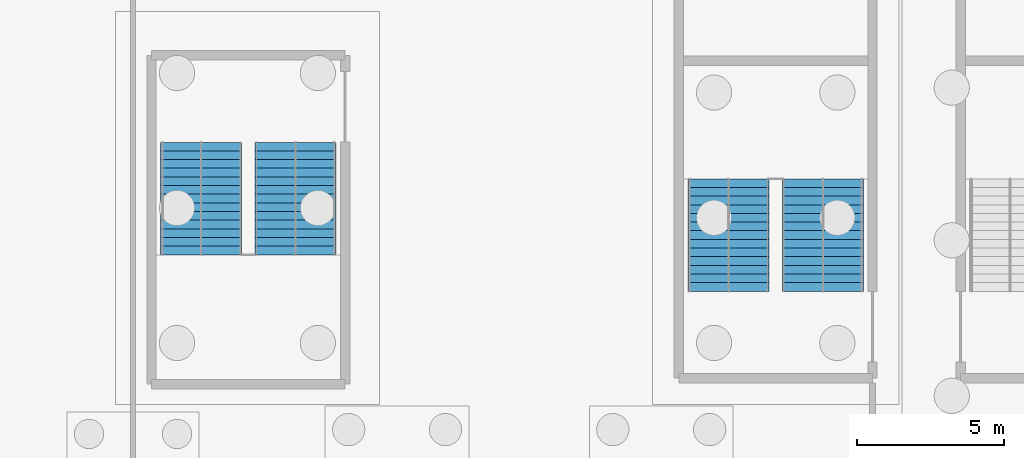
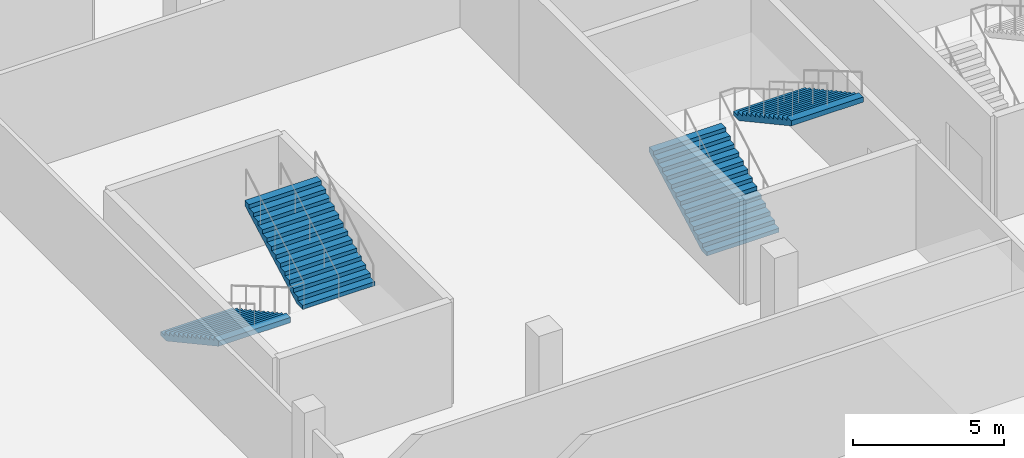
# One storey, part 35 of 46: 4 stair flights, 2 elements without a shape of their own.
"""IFC4 building model written with IfcOpenShell, lengths in metres."""

from ifc_helpers import new_model, si_unit, direction, frame, origin, place, context, subcontext, project, spatial, polygons, material, type_object, element, aggregate, save


model = new_model("IFC4")

# Units and contexts
model_context = context("Model", 3, precision=1e-05, world=origin(), true_north=direction((0.0, 1.0)))
body_context = subcontext(model_context, "Body", "Model", "MODEL_VIEW")
ifc_project = project(units=[si_unit("LENGTHUNIT", "METRE"), si_unit("AREAUNIT", "SQUARE_METRE"), si_unit("VOLUMEUNIT", "CUBIC_METRE"), si_unit("PLANEANGLEUNIT", "RADIAN"), si_unit("MASSUNIT", "GRAM", prefix="KILO")], contexts=[model_context])

# Site, building, storey
site_placement = place(None, origin())
site = spatial("IfcSite", under=ifc_project, at=site_placement, CompositionType="ELEMENT")
building_placement = place(site_placement, origin())
building = spatial("IfcBuilding", under=site, at=building_placement, Name="Kisiwana Market Hall", CompositionType="ELEMENT")
storey_placement = place(building_placement, frame((0.0, 0.0, -4.5)))
storey = spatial("IfcBuildingStorey", under=building, at=storey_placement, Name="B1", CompositionType="ELEMENT", Elevation=-4.5)

# Stair, stair flights
ifc_material_1 = material(Name="Concrete C32/40", Category="concrete")
stair_type = type_object("IfcStairType", Name="ST-ESC-4500", PredefinedType="TWO_STRAIGHT_RUN_STAIR", material=ifc_material_1)
stair_1_placement = place(storey_placement, origin())
stair_1 = element("IfcStair", 1, at=stair_1_placement, inside=storey, type_object=stair_type, Name="Escape stair ST-E7-B1", PredefinedType="TWO_STRAIGHT_RUN_STAIR")
ifc_material_2 = material(Name="Concrete C32/40", Category="concrete")
stair_flight_type = type_object("IfcStairFlightType", Name="SF-ESC-4500", PredefinedType="STRAIGHT", material=ifc_material_2)
stair_flight_1_placement = place(storey_placement, frame((173.2900390625, 42.360107421875, 0.0), z_axis=(0.0, 0.0, 1.0), x_axis=(0.0, 1.0, 0.0)))
stair_flight_1 = element("IfcStairFlight", 2, at=stair_flight_1_placement, type_object=stair_flight_type, Name="ST-E7-B1 flight 1", NumberOfRisers=14, NumberOfTreads=13, PredefinedType="STRAIGHT", RiserHeight=0.160714, TreadLength=0.295, context=body_context, shape_type="Tessellation", body=[
    polygons([(0.0, -1.380127, 0.0), (0.0, -0.690125, 0.0), (0.0, -0.000122, 0.0), (0.0, 0.68988, 0.0), (0.0, 1.379883, 0.0), (0.0, -1.380127, 0.160645), (0.0, -0.690125, 0.160645), (0.0, -0.000122, 0.160645), (0.0, 0.68988, 0.160645), (0.0, 1.379883, 0.160645), (0.294922, -1.380127, 0.160645), (0.294922, -0.690125, 0.160645), (0.294922, -0.000122, 0.160645), (0.294922, 0.68988, 0.160645), (0.294922, 1.379883, 0.160645), (0.294922, -1.380127, 0.321533), (0.294922, -0.690125, 0.321533), (0.294922, -0.000122, 0.321533), (0.294922, 0.68988, 0.321533), (0.294922, 1.379883, 0.321533), (0.590088, -1.380127, 0.321533), (0.590088, -0.690125, 0.321533), (0.590088, -0.000122, 0.321533), (0.590088, 0.68988, 0.321533), (0.590088, 1.379883, 0.321533), (0.590088, -1.380127, 0.482178), (0.590088, -0.690125, 0.482178), (0.590088, -0.000122, 0.482178), (0.590088, 0.68988, 0.482178), (0.590088, 1.379883, 0.482178), (0.88501, -1.380127, 0.482178), (0.88501, -0.690125, 0.482178), (0.88501, -0.000122, 0.482178), (0.88501, 0.68988, 0.482178), (0.88501, 1.379883, 0.482178), (0.88501, -1.380127, 0.642822), (0.88501, -0.690125, 0.642822), (0.88501, -0.000122, 0.642822), (0.88501, 0.68988, 0.642822), (0.88501, 1.379883, 0.642822), (1.179932, -1.380127, 0.642822), (1.179932, -0.690125, 0.642822), (1.179932, -0.000122, 0.642822), (1.179932, 0.68988, 0.642822), (1.179932, 1.379883, 0.642822), (1.179932, -1.380127, 0.803467), (1.179932, -0.690125, 0.803467), (1.179932, -0.000122, 0.803467), (1.179932, 0.68988, 0.803467), (1.179932, 1.379883, 0.803467), (1.475098, -1.380127, 0.803467), (1.475098, -0.690125, 0.803467), (1.475098, -0.000122, 0.803467), (1.475098, 0.68988, 0.803467), (1.475098, 1.379883, 0.803467), (1.475098, -1.380127, 0.964355), (1.475098, -0.690125, 0.964355), (1.475098, -0.000122, 0.964355), (1.475098, 0.68988, 0.964355), (1.475098, 1.379883, 0.964355), (1.77002, -1.380127, 0.964355), (1.77002, -0.690125, 0.964355), (1.77002, -0.000122, 0.964355), (1.77002, 0.68988, 0.964355), (1.77002, 1.379883, 0.964355), (1.77002, -1.380127, 1.125), (1.77002, -0.690125, 1.125), (1.77002, -0.000122, 1.125), (1.77002, 0.68988, 1.125), (1.77002, 1.379883, 1.125), (2.064941, -1.380127, 1.125), (2.064941, -0.690125, 1.125), (2.064941, -0.000122, 1.125), (2.064941, 0.68988, 1.125), (2.064941, 1.379883, 1.125), (2.064941, -1.380127, 1.285645), (2.064941, -0.690125, 1.285645), (2.064941, -0.000122, 1.285645), (2.064941, 0.68988, 1.285645), (2.064941, 1.379883, 1.285645), (2.360107, -1.380127, 1.285645), (2.360107, -0.690125, 1.285645), (2.360107, -0.000122, 1.285645), (2.360107, 0.68988, 1.285645), (2.360107, 1.379883, 1.285645), (2.360107, -1.380127, 1.446533), (2.360107, -0.690125, 1.446533), (2.360107, -0.000122, 1.446533), (2.360107, 0.68988, 1.446533), (2.360107, 1.379883, 1.446533), (2.655029, -1.380127, 1.446533), (2.655029, -0.690125, 1.446533), (2.655029, -0.000122, 1.446533), (2.655029, 0.68988, 1.446533), (2.655029, 1.379883, 1.446533), (2.655029, -1.380127, 1.607178), (2.655029, -0.690125, 1.607178), (2.655029, -0.000122, 1.607178), (2.655029, 0.68988, 1.607178), (2.655029, 1.379883, 1.607178), (2.949951, -1.380127, 1.607178), (2.949951, -0.690125, 1.607178), (2.949951, -0.000122, 1.607178), (2.949951, 0.68988, 1.607178), (2.949951, 1.379883, 1.607178), (2.949951, -1.380127, 1.767822), (2.949951, -0.690125, 1.767822), (2.949951, -0.000122, 1.767822), (2.949951, 0.68988, 1.767822), (2.949951, 1.379883, 1.767822), (3.245117, -1.380127, 1.767822), (3.245117, -0.690125, 1.767822), (3.245117, -0.000122, 1.767822), (3.245117, 0.68988, 1.767822), (3.245117, 1.379883, 1.767822), (3.245117, -1.380127, 1.928467), (3.245117, -0.690125, 1.928467), (3.245117, -0.000122, 1.928467), (3.245117, 0.68988, 1.928467), (3.245117, 1.379883, 1.928467), (3.540039, -1.380127, 1.928467), (3.540039, -0.690125, 1.928467), (3.540039, -0.000122, 1.928467), (3.540039, 0.68988, 1.928467), (3.540039, 1.379883, 1.928467), (3.540039, -1.380127, 2.089355), (3.540039, -0.690125, 2.089355), (3.540039, -0.000122, 2.089355), (3.540039, 0.68988, 2.089355), (3.540039, 1.379883, 2.089355), (3.834961, -1.380127, 2.089355), (3.834961, -0.690125, 2.089355), (3.834961, -0.000122, 2.089355), (3.834961, 0.68988, 2.089355), (3.834961, 1.379883, 2.089355), (3.834961, -1.380127, 1.884277), (3.834961, -0.690125, 1.884277), (3.834961, -0.000122, 1.884277), (3.834961, 0.68988, 1.884277), (3.834961, 1.379883, 1.884277), (0.376221, -1.380127, 0.0), (0.376221, -0.690125, 0.0), (0.376221, -0.000122, 0.0), (0.376221, 0.68988, 0.0), (0.376221, 1.379883, 0.0)], [[[1, 6, 7, 2]], [[2, 7, 8, 3]], [[3, 8, 9, 4]], [[4, 9, 10, 5]], [[6, 11, 12, 7]], [[7, 12, 13, 8]], [[8, 13, 14, 9]], [[9, 14, 15, 10]], [[11, 16, 17, 12]], [[12, 17, 18, 13]], [[13, 18, 19, 14]], [[14, 19, 20, 15]], [[16, 21, 22, 17]], [[17, 22, 23, 18]], [[18, 23, 24, 19]], [[19, 24, 25, 20]], [[21, 26, 27, 22]], [[22, 27, 28, 23]], [[23, 28, 29, 24]], [[24, 29, 30, 25]], [[26, 31, 32, 27]], [[27, 32, 33, 28]], [[28, 33, 34, 29]], [[29, 34, 35, 30]], [[31, 36, 37, 32]], [[32, 37, 38, 33]], [[33, 38, 39, 34]], [[34, 39, 40, 35]], [[36, 41, 42, 37]], [[37, 42, 43, 38]], [[38, 43, 44, 39]], [[39, 44, 45, 40]], [[41, 46, 47, 42]], [[42, 47, 48, 43]], [[43, 48, 49, 44]], [[44, 49, 50, 45]], [[46, 51, 52, 47]], [[47, 52, 53, 48]], [[48, 53, 54, 49]], [[49, 54, 55, 50]], [[51, 56, 57, 52]], [[52, 57, 58, 53]], [[53, 58, 59, 54]], [[54, 59, 60, 55]], [[56, 61, 62, 57]], [[57, 62, 63, 58]], [[58, 63, 64, 59]], [[59, 64, 65, 60]], [[61, 66, 67, 62]], [[62, 67, 68, 63]], [[63, 68, 69, 64]], [[64, 69, 70, 65]], [[66, 71, 72, 67]], [[67, 72, 73, 68]], [[68, 73, 74, 69]], [[69, 74, 75, 70]], [[71, 76, 77, 72]], [[72, 77, 78, 73]], [[73, 78, 79, 74]], [[74, 79, 80, 75]], [[76, 81, 82, 77]], [[77, 82, 83, 78]], [[78, 83, 84, 79]], [[79, 84, 85, 80]], [[81, 86, 87, 82]], [[82, 87, 88, 83]], [[83, 88, 89, 84]], [[84, 89, 90, 85]], [[86, 91, 92, 87]], [[87, 92, 93, 88]], [[88, 93, 94, 89]], [[89, 94, 95, 90]], [[91, 96, 97, 92]], [[92, 97, 98, 93]], [[93, 98, 99, 94]], [[94, 99, 100, 95]], [[96, 101, 102, 97]], [[97, 102, 103, 98]], [[98, 103, 104, 99]], [[99, 104, 105, 100]], [[101, 106, 107, 102]], [[102, 107, 108, 103]], [[103, 108, 109, 104]], [[104, 109, 110, 105]], [[106, 111, 112, 107]], [[107, 112, 113, 108]], [[108, 113, 114, 109]], [[109, 114, 115, 110]], [[111, 116, 117, 112]], [[112, 117, 118, 113]], [[113, 118, 119, 114]], [[114, 119, 120, 115]], [[116, 121, 122, 117]], [[117, 122, 123, 118]], [[118, 123, 124, 119]], [[119, 124, 125, 120]], [[121, 126, 127, 122]], [[122, 127, 128, 123]], [[123, 128, 129, 124]], [[124, 129, 130, 125]], [[126, 131, 132, 127]], [[127, 132, 133, 128]], [[128, 133, 134, 129]], [[129, 134, 135, 130]], [[131, 136, 137, 132]], [[132, 137, 138, 133]], [[133, 138, 139, 134]], [[134, 139, 140, 135]], [[136, 141, 142, 137]], [[137, 142, 143, 138]], [[138, 143, 144, 139]], [[139, 144, 145, 140]], [[141, 1, 2, 142]], [[142, 2, 3, 143]], [[143, 3, 4, 144]], [[144, 4, 5, 145]], [[141, 136, 131, 126, 121, 116, 111, 106, 101, 96, 91, 86, 81, 76, 71, 66, 61, 56, 51, 46, 41, 36, 31, 26, 21, 16, 11, 6, 1]], [[5, 10, 15, 20, 25, 30, 35, 40, 45, 50, 55, 60, 65, 70, 75, 80, 85, 90, 95, 100, 105, 110, 115, 120, 125, 130, 135, 140, 145]]], closed=True),
])
stair_flight_2_placement = place(storey_placement, frame((176.510009765625, 46.195068359375, 2.25), z_axis=(0.0, 0.0, 1.0), x_axis=(0.0, -1.0, 0.0)))
stair_flight_2 = element("IfcStairFlight", 3, at=stair_flight_2_placement, type_object=stair_flight_type, Name="ST-E7-B1 flight 2", NumberOfRisers=14, NumberOfTreads=13, PredefinedType="STRAIGHT", RiserHeight=0.160714, TreadLength=0.295, context=body_context, shape_type="Tessellation", body=[
    polygons([(0.0, -1.380127, 0.0), (0.0, -0.690125, 0.0), (0.0, -0.000122, 0.0), (0.0, 0.68988, 0.0), (0.0, 1.379883, 0.0), (0.0, -1.380127, 0.160645), (0.0, -0.690125, 0.160645), (0.0, -0.000122, 0.160645), (0.0, 0.68988, 0.160645), (0.0, 1.379883, 0.160645), (0.294922, -1.380127, 0.160645), (0.294922, -0.690125, 0.160645), (0.294922, -0.000122, 0.160645), (0.294922, 0.68988, 0.160645), (0.294922, 1.379883, 0.160645), (0.294922, -1.380127, 0.321533), (0.294922, -0.690125, 0.321533), (0.294922, -0.000122, 0.321533), (0.294922, 0.68988, 0.321533), (0.294922, 1.379883, 0.321533), (0.590088, -1.380127, 0.321533), (0.590088, -0.690125, 0.321533), (0.590088, -0.000122, 0.321533), (0.590088, 0.68988, 0.321533), (0.590088, 1.379883, 0.321533), (0.590088, -1.380127, 0.482178), (0.590088, -0.690125, 0.482178), (0.590088, -0.000122, 0.482178), (0.590088, 0.68988, 0.482178), (0.590088, 1.379883, 0.482178), (0.88501, -1.380127, 0.482178), (0.88501, -0.690125, 0.482178), (0.88501, -0.000122, 0.482178), (0.88501, 0.68988, 0.482178), (0.88501, 1.379883, 0.482178), (0.88501, -1.380127, 0.642822), (0.88501, -0.690125, 0.642822), (0.88501, -0.000122, 0.642822), (0.88501, 0.68988, 0.642822), (0.88501, 1.379883, 0.642822), (1.179932, -1.380127, 0.642822), (1.179932, -0.690125, 0.642822), (1.179932, -0.000122, 0.642822), (1.179932, 0.68988, 0.642822), (1.179932, 1.379883, 0.642822), (1.179932, -1.380127, 0.803467), (1.179932, -0.690125, 0.803467), (1.179932, -0.000122, 0.803467), (1.179932, 0.68988, 0.803467), (1.179932, 1.379883, 0.803467), (1.475098, -1.380127, 0.803467), (1.475098, -0.690125, 0.803467), (1.475098, -0.000122, 0.803467), (1.475098, 0.68988, 0.803467), (1.475098, 1.379883, 0.803467), (1.475098, -1.380127, 0.964355), (1.475098, -0.690125, 0.964355), (1.475098, -0.000122, 0.964355), (1.475098, 0.68988, 0.964355), (1.475098, 1.379883, 0.964355), (1.77002, -1.380127, 0.964355), (1.77002, -0.690125, 0.964355), (1.77002, -0.000122, 0.964355), (1.77002, 0.68988, 0.964355), (1.77002, 1.379883, 0.964355), (1.77002, -1.380127, 1.125), (1.77002, -0.690125, 1.125), (1.77002, -0.000122, 1.125), (1.77002, 0.68988, 1.125), (1.77002, 1.379883, 1.125), (2.064941, -1.380127, 1.125), (2.064941, -0.690125, 1.125), (2.064941, -0.000122, 1.125), (2.064941, 0.68988, 1.125), (2.064941, 1.379883, 1.125), (2.064941, -1.380127, 1.285645), (2.064941, -0.690125, 1.285645), (2.064941, -0.000122, 1.285645), (2.064941, 0.68988, 1.285645), (2.064941, 1.379883, 1.285645), (2.360107, -1.380127, 1.285645), (2.360107, -0.690125, 1.285645), (2.360107, -0.000122, 1.285645), (2.360107, 0.68988, 1.285645), (2.360107, 1.379883, 1.285645), (2.360107, -1.380127, 1.446533), (2.360107, -0.690125, 1.446533), (2.360107, -0.000122, 1.446533), (2.360107, 0.68988, 1.446533), (2.360107, 1.379883, 1.446533), (2.655029, -1.380127, 1.446533), (2.655029, -0.690125, 1.446533), (2.655029, -0.000122, 1.446533), (2.655029, 0.68988, 1.446533), (2.655029, 1.379883, 1.446533), (2.655029, -1.380127, 1.607178), (2.655029, -0.690125, 1.607178), (2.655029, -0.000122, 1.607178), (2.655029, 0.68988, 1.607178), (2.655029, 1.379883, 1.607178), (2.949951, -1.380127, 1.607178), (2.949951, -0.690125, 1.607178), (2.949951, -0.000122, 1.607178), (2.949951, 0.68988, 1.607178), (2.949951, 1.379883, 1.607178), (2.949951, -1.380127, 1.767822), (2.949951, -0.690125, 1.767822), (2.949951, -0.000122, 1.767822), (2.949951, 0.68988, 1.767822), (2.949951, 1.379883, 1.767822), (3.245117, -1.380127, 1.767822), (3.245117, -0.690125, 1.767822), (3.245117, -0.000122, 1.767822), (3.245117, 0.68988, 1.767822), (3.245117, 1.379883, 1.767822), (3.245117, -1.380127, 1.928467), (3.245117, -0.690125, 1.928467), (3.245117, -0.000122, 1.928467), (3.245117, 0.68988, 1.928467), (3.245117, 1.379883, 1.928467), (3.540039, -1.380127, 1.928467), (3.540039, -0.690125, 1.928467), (3.540039, -0.000122, 1.928467), (3.540039, 0.68988, 1.928467), (3.540039, 1.379883, 1.928467), (3.540039, -1.380127, 2.089355), (3.540039, -0.690125, 2.089355), (3.540039, -0.000122, 2.089355), (3.540039, 0.68988, 2.089355), (3.540039, 1.379883, 2.089355), (3.834961, -1.380127, 2.089355), (3.834961, -0.690125, 2.089355), (3.834961, -0.000122, 2.089355), (3.834961, 0.68988, 2.089355), (3.834961, 1.379883, 2.089355), (3.834961, -1.380127, 1.884277), (3.834961, -0.690125, 1.884277), (3.834961, -0.000122, 1.884277), (3.834961, 0.68988, 1.884277), (3.834961, 1.379883, 1.884277), (0.376221, -1.380127, 0.0), (0.376221, -0.690125, 0.0), (0.376221, -0.000122, 0.0), (0.376221, 0.68988, 0.0), (0.376221, 1.379883, 0.0)], [[[1, 6, 7, 2]], [[2, 7, 8, 3]], [[3, 8, 9, 4]], [[4, 9, 10, 5]], [[6, 11, 12, 7]], [[7, 12, 13, 8]], [[8, 13, 14, 9]], [[9, 14, 15, 10]], [[11, 16, 17, 12]], [[12, 17, 18, 13]], [[13, 18, 19, 14]], [[14, 19, 20, 15]], [[16, 21, 22, 17]], [[17, 22, 23, 18]], [[18, 23, 24, 19]], [[19, 24, 25, 20]], [[21, 26, 27, 22]], [[22, 27, 28, 23]], [[23, 28, 29, 24]], [[24, 29, 30, 25]], [[26, 31, 32, 27]], [[27, 32, 33, 28]], [[28, 33, 34, 29]], [[29, 34, 35, 30]], [[31, 36, 37, 32]], [[32, 37, 38, 33]], [[33, 38, 39, 34]], [[34, 39, 40, 35]], [[36, 41, 42, 37]], [[37, 42, 43, 38]], [[38, 43, 44, 39]], [[39, 44, 45, 40]], [[41, 46, 47, 42]], [[42, 47, 48, 43]], [[43, 48, 49, 44]], [[44, 49, 50, 45]], [[46, 51, 52, 47]], [[47, 52, 53, 48]], [[48, 53, 54, 49]], [[49, 54, 55, 50]], [[51, 56, 57, 52]], [[52, 57, 58, 53]], [[53, 58, 59, 54]], [[54, 59, 60, 55]], [[56, 61, 62, 57]], [[57, 62, 63, 58]], [[58, 63, 64, 59]], [[59, 64, 65, 60]], [[61, 66, 67, 62]], [[62, 67, 68, 63]], [[63, 68, 69, 64]], [[64, 69, 70, 65]], [[66, 71, 72, 67]], [[67, 72, 73, 68]], [[68, 73, 74, 69]], [[69, 74, 75, 70]], [[71, 76, 77, 72]], [[72, 77, 78, 73]], [[73, 78, 79, 74]], [[74, 79, 80, 75]], [[76, 81, 82, 77]], [[77, 82, 83, 78]], [[78, 83, 84, 79]], [[79, 84, 85, 80]], [[81, 86, 87, 82]], [[82, 87, 88, 83]], [[83, 88, 89, 84]], [[84, 89, 90, 85]], [[86, 91, 92, 87]], [[87, 92, 93, 88]], [[88, 93, 94, 89]], [[89, 94, 95, 90]], [[91, 96, 97, 92]], [[92, 97, 98, 93]], [[93, 98, 99, 94]], [[94, 99, 100, 95]], [[96, 101, 102, 97]], [[97, 102, 103, 98]], [[98, 103, 104, 99]], [[99, 104, 105, 100]], [[101, 106, 107, 102]], [[102, 107, 108, 103]], [[103, 108, 109, 104]], [[104, 109, 110, 105]], [[106, 111, 112, 107]], [[107, 112, 113, 108]], [[108, 113, 114, 109]], [[109, 114, 115, 110]], [[111, 116, 117, 112]], [[112, 117, 118, 113]], [[113, 118, 119, 114]], [[114, 119, 120, 115]], [[116, 121, 122, 117]], [[117, 122, 123, 118]], [[118, 123, 124, 119]], [[119, 124, 125, 120]], [[121, 126, 127, 122]], [[122, 127, 128, 123]], [[123, 128, 129, 124]], [[124, 129, 130, 125]], [[126, 131, 132, 127]], [[127, 132, 133, 128]], [[128, 133, 134, 129]], [[129, 134, 135, 130]], [[131, 136, 137, 132]], [[132, 137, 138, 133]], [[133, 138, 139, 134]], [[134, 139, 140, 135]], [[136, 141, 142, 137]], [[137, 142, 143, 138]], [[138, 143, 144, 139]], [[139, 144, 145, 140]], [[141, 1, 2, 142]], [[142, 2, 3, 143]], [[143, 3, 4, 144]], [[144, 4, 5, 145]], [[141, 136, 131, 126, 121, 116, 111, 106, 101, 96, 91, 86, 81, 76, 71, 66, 61, 56, 51, 46, 41, 36, 31, 26, 21, 16, 11, 6, 1]], [[5, 10, 15, 20, 25, 30, 35, 40, 45, 50, 55, 60, 65, 70, 75, 80, 85, 90, 95, 100, 105, 110, 115, 120, 125, 130, 135, 140, 145]]], closed=True),
])
aggregate(stair_1, [stair_flight_1, stair_flight_2])

stair_2_placement = place(storey_placement, origin())
stair_2 = element("IfcStair", 4, at=stair_2_placement, inside=storey, type_object=stair_type, Name="Escape stair ST-E9-B1", PredefinedType="TWO_STRAIGHT_RUN_STAIR")
stair_flight_3_placement = place(storey_placement, frame((155.320068359375, 47.43994140625, 0.0), z_axis=(0.0, 0.0, 1.0), x_axis=(0.0, -1.0, 0.0)))
stair_flight_3 = element("IfcStairFlight", 5, at=stair_flight_3_placement, type_object=stair_flight_type, Name="ST-E9-B1 flight 1", NumberOfRisers=14, NumberOfTreads=13, PredefinedType="STRAIGHT", RiserHeight=0.160714, TreadLength=0.295, context=body_context, shape_type="Tessellation", body=[
    polygons([(0.0, -1.380127, 0.0), (0.0, -0.690125, 0.0), (0.0, -0.000122, 0.0), (0.0, 0.68988, 0.0), (0.0, 1.379883, 0.0), (0.0, -1.380127, 0.160645), (0.0, -0.690125, 0.160645), (0.0, -0.000122, 0.160645), (0.0, 0.68988, 0.160645), (0.0, 1.379883, 0.160645), (0.294922, -1.380127, 0.160645), (0.294922, -0.690125, 0.160645), (0.294922, -0.000122, 0.160645), (0.294922, 0.68988, 0.160645), (0.294922, 1.379883, 0.160645), (0.294922, -1.380127, 0.321533), (0.294922, -0.690125, 0.321533), (0.294922, -0.000122, 0.321533), (0.294922, 0.68988, 0.321533), (0.294922, 1.379883, 0.321533), (0.590088, -1.380127, 0.321533), (0.590088, -0.690125, 0.321533), (0.590088, -0.000122, 0.321533), (0.590088, 0.68988, 0.321533), (0.590088, 1.379883, 0.321533), (0.590088, -1.380127, 0.482178), (0.590088, -0.690125, 0.482178), (0.590088, -0.000122, 0.482178), (0.590088, 0.68988, 0.482178), (0.590088, 1.379883, 0.482178), (0.88501, -1.380127, 0.482178), (0.88501, -0.690125, 0.482178), (0.88501, -0.000122, 0.482178), (0.88501, 0.68988, 0.482178), (0.88501, 1.379883, 0.482178), (0.88501, -1.380127, 0.642822), (0.88501, -0.690125, 0.642822), (0.88501, -0.000122, 0.642822), (0.88501, 0.68988, 0.642822), (0.88501, 1.379883, 0.642822), (1.179932, -1.380127, 0.642822), (1.179932, -0.690125, 0.642822), (1.179932, -0.000122, 0.642822), (1.179932, 0.68988, 0.642822), (1.179932, 1.379883, 0.642822), (1.179932, -1.380127, 0.803467), (1.179932, -0.690125, 0.803467), (1.179932, -0.000122, 0.803467), (1.179932, 0.68988, 0.803467), (1.179932, 1.379883, 0.803467), (1.475098, -1.380127, 0.803467), (1.475098, -0.690125, 0.803467), (1.475098, -0.000122, 0.803467), (1.475098, 0.68988, 0.803467), (1.475098, 1.379883, 0.803467), (1.475098, -1.380127, 0.964355), (1.475098, -0.690125, 0.964355), (1.475098, -0.000122, 0.964355), (1.475098, 0.68988, 0.964355), (1.475098, 1.379883, 0.964355), (1.77002, -1.380127, 0.964355), (1.77002, -0.690125, 0.964355), (1.77002, -0.000122, 0.964355), (1.77002, 0.68988, 0.964355), (1.77002, 1.379883, 0.964355), (1.77002, -1.380127, 1.125), (1.77002, -0.690125, 1.125), (1.77002, -0.000122, 1.125), (1.77002, 0.68988, 1.125), (1.77002, 1.379883, 1.125), (2.064941, -1.380127, 1.125), (2.064941, -0.690125, 1.125), (2.064941, -0.000122, 1.125), (2.064941, 0.68988, 1.125), (2.064941, 1.379883, 1.125), (2.064941, -1.380127, 1.285645), (2.064941, -0.690125, 1.285645), (2.064941, -0.000122, 1.285645), (2.064941, 0.68988, 1.285645), (2.064941, 1.379883, 1.285645), (2.360107, -1.380127, 1.285645), (2.360107, -0.690125, 1.285645), (2.360107, -0.000122, 1.285645), (2.360107, 0.68988, 1.285645), (2.360107, 1.379883, 1.285645), (2.360107, -1.380127, 1.446533), (2.360107, -0.690125, 1.446533), (2.360107, -0.000122, 1.446533), (2.360107, 0.68988, 1.446533), (2.360107, 1.379883, 1.446533), (2.655029, -1.380127, 1.446533), (2.655029, -0.690125, 1.446533), (2.655029, -0.000122, 1.446533), (2.655029, 0.68988, 1.446533), (2.655029, 1.379883, 1.446533), (2.655029, -1.380127, 1.607178), (2.655029, -0.690125, 1.607178), (2.655029, -0.000122, 1.607178), (2.655029, 0.68988, 1.607178), (2.655029, 1.379883, 1.607178), (2.949951, -1.380127, 1.607178), (2.949951, -0.690125, 1.607178), (2.949951, -0.000122, 1.607178), (2.949951, 0.68988, 1.607178), (2.949951, 1.379883, 1.607178), (2.949951, -1.380127, 1.767822), (2.949951, -0.690125, 1.767822), (2.949951, -0.000122, 1.767822), (2.949951, 0.68988, 1.767822), (2.949951, 1.379883, 1.767822), (3.245117, -1.380127, 1.767822), (3.245117, -0.690125, 1.767822), (3.245117, -0.000122, 1.767822), (3.245117, 0.68988, 1.767822), (3.245117, 1.379883, 1.767822), (3.245117, -1.380127, 1.928467), (3.245117, -0.690125, 1.928467), (3.245117, -0.000122, 1.928467), (3.245117, 0.68988, 1.928467), (3.245117, 1.379883, 1.928467), (3.540039, -1.380127, 1.928467), (3.540039, -0.690125, 1.928467), (3.540039, -0.000122, 1.928467), (3.540039, 0.68988, 1.928467), (3.540039, 1.379883, 1.928467), (3.540039, -1.380127, 2.089355), (3.540039, -0.690125, 2.089355), (3.540039, -0.000122, 2.089355), (3.540039, 0.68988, 2.089355), (3.540039, 1.379883, 2.089355), (3.834961, -1.380127, 2.089355), (3.834961, -0.690125, 2.089355), (3.834961, -0.000122, 2.089355), (3.834961, 0.68988, 2.089355), (3.834961, 1.379883, 2.089355), (3.834961, -1.380127, 1.884277), (3.834961, -0.690125, 1.884277), (3.834961, -0.000122, 1.884277), (3.834961, 0.68988, 1.884277), (3.834961, 1.379883, 1.884277), (0.376221, -1.380127, 0.0), (0.376221, -0.690125, 0.0), (0.376221, -0.000122, 0.0), (0.376221, 0.68988, 0.0), (0.376221, 1.379883, 0.0)], [[[1, 6, 7, 2]], [[2, 7, 8, 3]], [[3, 8, 9, 4]], [[4, 9, 10, 5]], [[6, 11, 12, 7]], [[7, 12, 13, 8]], [[8, 13, 14, 9]], [[9, 14, 15, 10]], [[11, 16, 17, 12]], [[12, 17, 18, 13]], [[13, 18, 19, 14]], [[14, 19, 20, 15]], [[16, 21, 22, 17]], [[17, 22, 23, 18]], [[18, 23, 24, 19]], [[19, 24, 25, 20]], [[21, 26, 27, 22]], [[22, 27, 28, 23]], [[23, 28, 29, 24]], [[24, 29, 30, 25]], [[26, 31, 32, 27]], [[27, 32, 33, 28]], [[28, 33, 34, 29]], [[29, 34, 35, 30]], [[31, 36, 37, 32]], [[32, 37, 38, 33]], [[33, 38, 39, 34]], [[34, 39, 40, 35]], [[36, 41, 42, 37]], [[37, 42, 43, 38]], [[38, 43, 44, 39]], [[39, 44, 45, 40]], [[41, 46, 47, 42]], [[42, 47, 48, 43]], [[43, 48, 49, 44]], [[44, 49, 50, 45]], [[46, 51, 52, 47]], [[47, 52, 53, 48]], [[48, 53, 54, 49]], [[49, 54, 55, 50]], [[51, 56, 57, 52]], [[52, 57, 58, 53]], [[53, 58, 59, 54]], [[54, 59, 60, 55]], [[56, 61, 62, 57]], [[57, 62, 63, 58]], [[58, 63, 64, 59]], [[59, 64, 65, 60]], [[61, 66, 67, 62]], [[62, 67, 68, 63]], [[63, 68, 69, 64]], [[64, 69, 70, 65]], [[66, 71, 72, 67]], [[67, 72, 73, 68]], [[68, 73, 74, 69]], [[69, 74, 75, 70]], [[71, 76, 77, 72]], [[72, 77, 78, 73]], [[73, 78, 79, 74]], [[74, 79, 80, 75]], [[76, 81, 82, 77]], [[77, 82, 83, 78]], [[78, 83, 84, 79]], [[79, 84, 85, 80]], [[81, 86, 87, 82]], [[82, 87, 88, 83]], [[83, 88, 89, 84]], [[84, 89, 90, 85]], [[86, 91, 92, 87]], [[87, 92, 93, 88]], [[88, 93, 94, 89]], [[89, 94, 95, 90]], [[91, 96, 97, 92]], [[92, 97, 98, 93]], [[93, 98, 99, 94]], [[94, 99, 100, 95]], [[96, 101, 102, 97]], [[97, 102, 103, 98]], [[98, 103, 104, 99]], [[99, 104, 105, 100]], [[101, 106, 107, 102]], [[102, 107, 108, 103]], [[103, 108, 109, 104]], [[104, 109, 110, 105]], [[106, 111, 112, 107]], [[107, 112, 113, 108]], [[108, 113, 114, 109]], [[109, 114, 115, 110]], [[111, 116, 117, 112]], [[112, 117, 118, 113]], [[113, 118, 119, 114]], [[114, 119, 120, 115]], [[116, 121, 122, 117]], [[117, 122, 123, 118]], [[118, 123, 124, 119]], [[119, 124, 125, 120]], [[121, 126, 127, 122]], [[122, 127, 128, 123]], [[123, 128, 129, 124]], [[124, 129, 130, 125]], [[126, 131, 132, 127]], [[127, 132, 133, 128]], [[128, 133, 134, 129]], [[129, 134, 135, 130]], [[131, 136, 137, 132]], [[132, 137, 138, 133]], [[133, 138, 139, 134]], [[134, 139, 140, 135]], [[136, 141, 142, 137]], [[137, 142, 143, 138]], [[138, 143, 144, 139]], [[139, 144, 145, 140]], [[141, 1, 2, 142]], [[142, 2, 3, 143]], [[143, 3, 4, 144]], [[144, 4, 5, 145]], [[141, 136, 131, 126, 121, 116, 111, 106, 101, 96, 91, 86, 81, 76, 71, 66, 61, 56, 51, 46, 41, 36, 31, 26, 21, 16, 11, 6, 1]], [[5, 10, 15, 20, 25, 30, 35, 40, 45, 50, 55, 60, 65, 70, 75, 80, 85, 90, 95, 100, 105, 110, 115, 120, 125, 130, 135, 140, 145]]], closed=True),
])
stair_flight_4_placement = place(storey_placement, frame((158.5400390625, 43.60498046875, 2.25), z_axis=(0.0, 0.0, 1.0), x_axis=(0.0, 1.0, 0.0)))
stair_flight_4 = element("IfcStairFlight", 6, at=stair_flight_4_placement, type_object=stair_flight_type, Name="ST-E9-B1 flight 2", NumberOfRisers=14, NumberOfTreads=13, PredefinedType="STRAIGHT", RiserHeight=0.160714, TreadLength=0.295, context=body_context, shape_type="Tessellation", body=[
    polygons([(0.0, -1.380127, 0.0), (0.0, -0.690125, 0.0), (0.0, -0.000122, 0.0), (0.0, 0.68988, 0.0), (0.0, 1.379883, 0.0), (0.0, -1.380127, 0.160645), (0.0, -0.690125, 0.160645), (0.0, -0.000122, 0.160645), (0.0, 0.68988, 0.160645), (0.0, 1.379883, 0.160645), (0.294922, -1.380127, 0.160645), (0.294922, -0.690125, 0.160645), (0.294922, -0.000122, 0.160645), (0.294922, 0.68988, 0.160645), (0.294922, 1.379883, 0.160645), (0.294922, -1.380127, 0.321533), (0.294922, -0.690125, 0.321533), (0.294922, -0.000122, 0.321533), (0.294922, 0.68988, 0.321533), (0.294922, 1.379883, 0.321533), (0.590088, -1.380127, 0.321533), (0.590088, -0.690125, 0.321533), (0.590088, -0.000122, 0.321533), (0.590088, 0.68988, 0.321533), (0.590088, 1.379883, 0.321533), (0.590088, -1.380127, 0.482178), (0.590088, -0.690125, 0.482178), (0.590088, -0.000122, 0.482178), (0.590088, 0.68988, 0.482178), (0.590088, 1.379883, 0.482178), (0.88501, -1.380127, 0.482178), (0.88501, -0.690125, 0.482178), (0.88501, -0.000122, 0.482178), (0.88501, 0.68988, 0.482178), (0.88501, 1.379883, 0.482178), (0.88501, -1.380127, 0.642822), (0.88501, -0.690125, 0.642822), (0.88501, -0.000122, 0.642822), (0.88501, 0.68988, 0.642822), (0.88501, 1.379883, 0.642822), (1.179932, -1.380127, 0.642822), (1.179932, -0.690125, 0.642822), (1.179932, -0.000122, 0.642822), (1.179932, 0.68988, 0.642822), (1.179932, 1.379883, 0.642822), (1.179932, -1.380127, 0.803467), (1.179932, -0.690125, 0.803467), (1.179932, -0.000122, 0.803467), (1.179932, 0.68988, 0.803467), (1.179932, 1.379883, 0.803467), (1.475098, -1.380127, 0.803467), (1.475098, -0.690125, 0.803467), (1.475098, -0.000122, 0.803467), (1.475098, 0.68988, 0.803467), (1.475098, 1.379883, 0.803467), (1.475098, -1.380127, 0.964355), (1.475098, -0.690125, 0.964355), (1.475098, -0.000122, 0.964355), (1.475098, 0.68988, 0.964355), (1.475098, 1.379883, 0.964355), (1.77002, -1.380127, 0.964355), (1.77002, -0.690125, 0.964355), (1.77002, -0.000122, 0.964355), (1.77002, 0.68988, 0.964355), (1.77002, 1.379883, 0.964355), (1.77002, -1.380127, 1.125), (1.77002, -0.690125, 1.125), (1.77002, -0.000122, 1.125), (1.77002, 0.68988, 1.125), (1.77002, 1.379883, 1.125), (2.064941, -1.380127, 1.125), (2.064941, -0.690125, 1.125), (2.064941, -0.000122, 1.125), (2.064941, 0.68988, 1.125), (2.064941, 1.379883, 1.125), (2.064941, -1.380127, 1.285645), (2.064941, -0.690125, 1.285645), (2.064941, -0.000122, 1.285645), (2.064941, 0.68988, 1.285645), (2.064941, 1.379883, 1.285645), (2.360107, -1.380127, 1.285645), (2.360107, -0.690125, 1.285645), (2.360107, -0.000122, 1.285645), (2.360107, 0.68988, 1.285645), (2.360107, 1.379883, 1.285645), (2.360107, -1.380127, 1.446533), (2.360107, -0.690125, 1.446533), (2.360107, -0.000122, 1.446533), (2.360107, 0.68988, 1.446533), (2.360107, 1.379883, 1.446533), (2.655029, -1.380127, 1.446533), (2.655029, -0.690125, 1.446533), (2.655029, -0.000122, 1.446533), (2.655029, 0.68988, 1.446533), (2.655029, 1.379883, 1.446533), (2.655029, -1.380127, 1.607178), (2.655029, -0.690125, 1.607178), (2.655029, -0.000122, 1.607178), (2.655029, 0.68988, 1.607178), (2.655029, 1.379883, 1.607178), (2.949951, -1.380127, 1.607178), (2.949951, -0.690125, 1.607178), (2.949951, -0.000122, 1.607178), (2.949951, 0.68988, 1.607178), (2.949951, 1.379883, 1.607178), (2.949951, -1.380127, 1.767822), (2.949951, -0.690125, 1.767822), (2.949951, -0.000122, 1.767822), (2.949951, 0.68988, 1.767822), (2.949951, 1.379883, 1.767822), (3.245117, -1.380127, 1.767822), (3.245117, -0.690125, 1.767822), (3.245117, -0.000122, 1.767822), (3.245117, 0.68988, 1.767822), (3.245117, 1.379883, 1.767822), (3.245117, -1.380127, 1.928467), (3.245117, -0.690125, 1.928467), (3.245117, -0.000122, 1.928467), (3.245117, 0.68988, 1.928467), (3.245117, 1.379883, 1.928467), (3.540039, -1.380127, 1.928467), (3.540039, -0.690125, 1.928467), (3.540039, -0.000122, 1.928467), (3.540039, 0.68988, 1.928467), (3.540039, 1.379883, 1.928467), (3.540039, -1.380127, 2.089355), (3.540039, -0.690125, 2.089355), (3.540039, -0.000122, 2.089355), (3.540039, 0.68988, 2.089355), (3.540039, 1.379883, 2.089355), (3.834961, -1.380127, 2.089355), (3.834961, -0.690125, 2.089355), (3.834961, -0.000122, 2.089355), (3.834961, 0.68988, 2.089355), (3.834961, 1.379883, 2.089355), (3.834961, -1.380127, 1.884277), (3.834961, -0.690125, 1.884277), (3.834961, -0.000122, 1.884277), (3.834961, 0.68988, 1.884277), (3.834961, 1.379883, 1.884277), (0.376221, -1.380127, 0.0), (0.376221, -0.690125, 0.0), (0.376221, -0.000122, 0.0), (0.376221, 0.68988, 0.0), (0.376221, 1.379883, 0.0)], [[[1, 6, 7, 2]], [[2, 7, 8, 3]], [[3, 8, 9, 4]], [[4, 9, 10, 5]], [[6, 11, 12, 7]], [[7, 12, 13, 8]], [[8, 13, 14, 9]], [[9, 14, 15, 10]], [[11, 16, 17, 12]], [[12, 17, 18, 13]], [[13, 18, 19, 14]], [[14, 19, 20, 15]], [[16, 21, 22, 17]], [[17, 22, 23, 18]], [[18, 23, 24, 19]], [[19, 24, 25, 20]], [[21, 26, 27, 22]], [[22, 27, 28, 23]], [[23, 28, 29, 24]], [[24, 29, 30, 25]], [[26, 31, 32, 27]], [[27, 32, 33, 28]], [[28, 33, 34, 29]], [[29, 34, 35, 30]], [[31, 36, 37, 32]], [[32, 37, 38, 33]], [[33, 38, 39, 34]], [[34, 39, 40, 35]], [[36, 41, 42, 37]], [[37, 42, 43, 38]], [[38, 43, 44, 39]], [[39, 44, 45, 40]], [[41, 46, 47, 42]], [[42, 47, 48, 43]], [[43, 48, 49, 44]], [[44, 49, 50, 45]], [[46, 51, 52, 47]], [[47, 52, 53, 48]], [[48, 53, 54, 49]], [[49, 54, 55, 50]], [[51, 56, 57, 52]], [[52, 57, 58, 53]], [[53, 58, 59, 54]], [[54, 59, 60, 55]], [[56, 61, 62, 57]], [[57, 62, 63, 58]], [[58, 63, 64, 59]], [[59, 64, 65, 60]], [[61, 66, 67, 62]], [[62, 67, 68, 63]], [[63, 68, 69, 64]], [[64, 69, 70, 65]], [[66, 71, 72, 67]], [[67, 72, 73, 68]], [[68, 73, 74, 69]], [[69, 74, 75, 70]], [[71, 76, 77, 72]], [[72, 77, 78, 73]], [[73, 78, 79, 74]], [[74, 79, 80, 75]], [[76, 81, 82, 77]], [[77, 82, 83, 78]], [[78, 83, 84, 79]], [[79, 84, 85, 80]], [[81, 86, 87, 82]], [[82, 87, 88, 83]], [[83, 88, 89, 84]], [[84, 89, 90, 85]], [[86, 91, 92, 87]], [[87, 92, 93, 88]], [[88, 93, 94, 89]], [[89, 94, 95, 90]], [[91, 96, 97, 92]], [[92, 97, 98, 93]], [[93, 98, 99, 94]], [[94, 99, 100, 95]], [[96, 101, 102, 97]], [[97, 102, 103, 98]], [[98, 103, 104, 99]], [[99, 104, 105, 100]], [[101, 106, 107, 102]], [[102, 107, 108, 103]], [[103, 108, 109, 104]], [[104, 109, 110, 105]], [[106, 111, 112, 107]], [[107, 112, 113, 108]], [[108, 113, 114, 109]], [[109, 114, 115, 110]], [[111, 116, 117, 112]], [[112, 117, 118, 113]], [[113, 118, 119, 114]], [[114, 119, 120, 115]], [[116, 121, 122, 117]], [[117, 122, 123, 118]], [[118, 123, 124, 119]], [[119, 124, 125, 120]], [[121, 126, 127, 122]], [[122, 127, 128, 123]], [[123, 128, 129, 124]], [[124, 129, 130, 125]], [[126, 131, 132, 127]], [[127, 132, 133, 128]], [[128, 133, 134, 129]], [[129, 134, 135, 130]], [[131, 136, 137, 132]], [[132, 137, 138, 133]], [[133, 138, 139, 134]], [[134, 139, 140, 135]], [[136, 141, 142, 137]], [[137, 142, 143, 138]], [[138, 143, 144, 139]], [[139, 144, 145, 140]], [[141, 1, 2, 142]], [[142, 2, 3, 143]], [[143, 3, 4, 144]], [[144, 4, 5, 145]], [[141, 136, 131, 126, 121, 116, 111, 106, 101, 96, 91, 86, 81, 76, 71, 66, 61, 56, 51, 46, 41, 36, 31, 26, 21, 16, 11, 6, 1]], [[5, 10, 15, 20, 25, 30, 35, 40, 45, 50, 55, 60, 65, 70, 75, 80, 85, 90, 95, 100, 105, 110, 115, 120, 125, 130, 135, 140, 145]]], closed=True),
])
aggregate(stair_2, [stair_flight_3, stair_flight_4])

save(model, "model.ifc")
